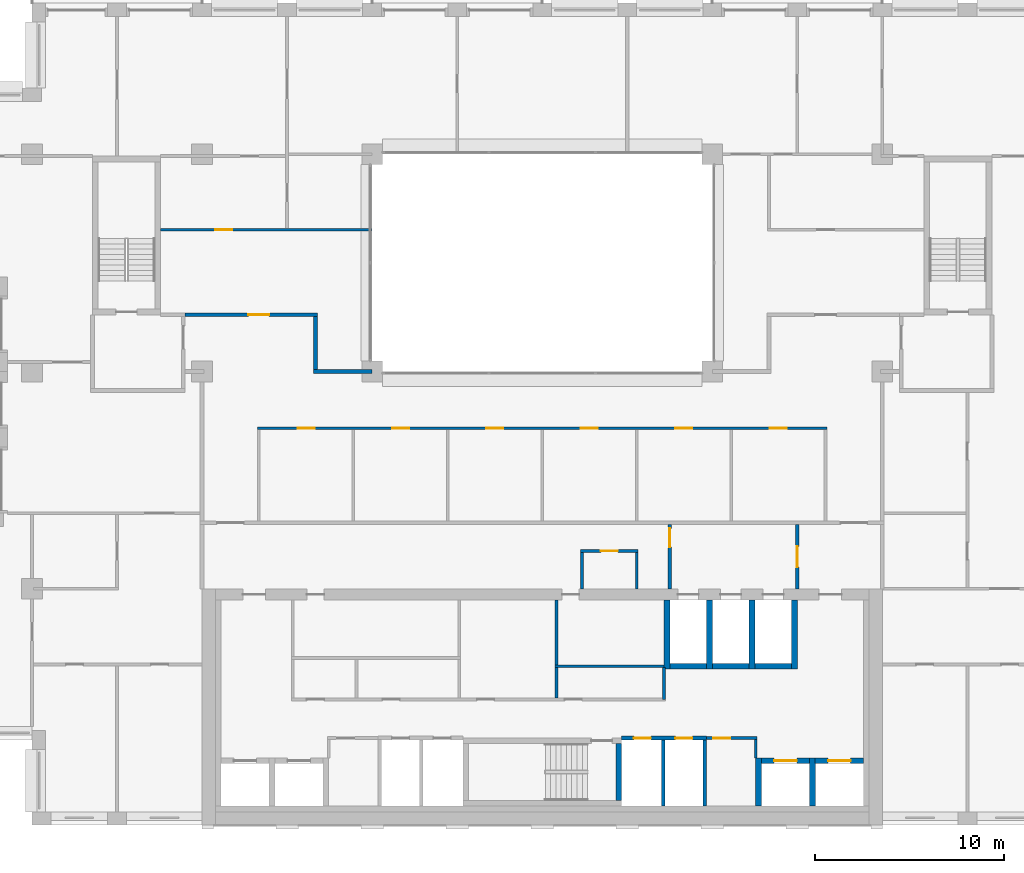
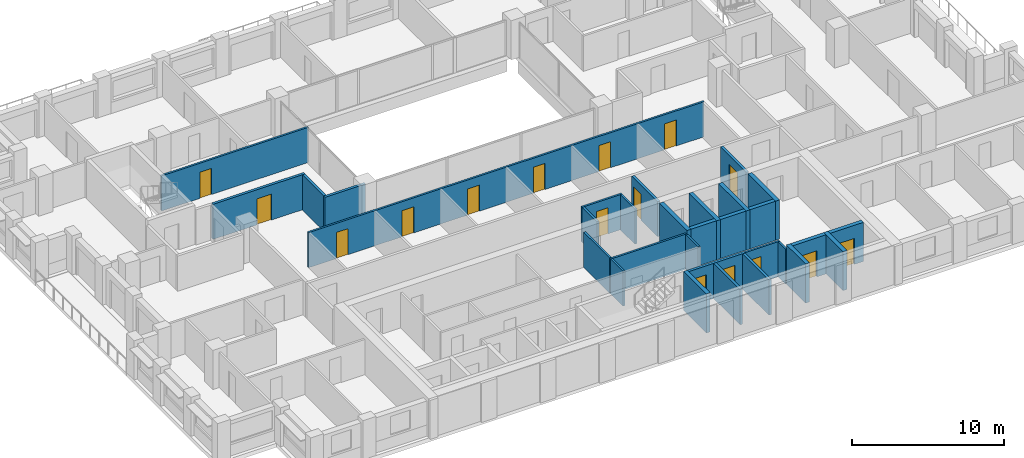
# One storey, part 10 of 15: 31 walls, 16 doors, 16 openings.
"""IFC4 building model written with IfcOpenShell, lengths in metres."""

from ifc_helpers import new_model, si_unit, direction, frame, frame_2d, origin, place, context, subcontext, project, spatial, rectangle, extrude, material, layer, layer_set, type_object, element, fill, save


model = new_model("IFC4")

# Units and contexts
model_context = context("Model", 3, precision=1e-05, world=origin(), true_north=direction((0.0, 1.0)))
body_context = subcontext(model_context, "Body", "Model", "MODEL_VIEW")
ifc_project = project(units=[si_unit("LENGTHUNIT", "METRE"), si_unit("AREAUNIT", "SQUARE_METRE"), si_unit("VOLUMEUNIT", "CUBIC_METRE"), si_unit("PLANEANGLEUNIT", "RADIAN"), si_unit("MASSUNIT", "GRAM", prefix="KILO")], contexts=[model_context])

# Site, building, storey
site_placement = place(None, origin())
site = spatial("IfcSite", under=ifc_project, at=site_placement, CompositionType="ELEMENT")
building_placement = place(site_placement, origin())
building = spatial("IfcBuilding", under=site, at=building_placement, Name="Brigalow Station Residences", CompositionType="ELEMENT")
storey_placement = place(building_placement, frame((0.0, 0.0, 150.75)))
storey = spatial("IfcBuildingStorey", under=building, at=storey_placement, Name="L43", CompositionType="ELEMENT", Elevation=150.75)

# Walls
ifc_material_1 = material(Name="Concrete C65", Category="concrete")
ifc_layer_1 = layer(ifc_material_1, 0.300048828125)
ifc_layer_set_1 = layer_set([ifc_layer_1], Name="CORE SHEAR WALL 300 C65")
wall_type_1 = type_object("IfcWallType", Name="CORE SHEAR WALL 300 C65", PredefinedType="SHEAR", material=ifc_layer_set_1)
wall_1_placement = place(storey_placement, frame((42.75, 8.39990234375, 0.0), z_axis=(0.0, 0.0, 1.0), x_axis=(1.0, 0.0, 0.0)))
element("IfcWall", 1, at=wall_1_placement, inside=storey, type_object=wall_type_1, Name="CORE WALL SH-FF1-S L43", PredefinedType="SHEAR", context=body_context, shape_type="SweptSolid", body=[
    extrude(rectangle(XDim=1.949951171875, YDim=0.300048828125, at=frame_2d((0.97509765625, 0.0))), origin(), (0.0, 0.0, 1.0), 3.14990234375),
])
wall_2_placement = place(storey_placement, frame((42.60009765625, 8.25, 0.0), z_axis=(0.0, 0.0, 1.0), x_axis=(0.0, 1.0, 0.0)))
element("IfcWall", 2, at=wall_2_placement, inside=storey, type_object=wall_type_1, Name="CORE WALL SH-FF1-W L43", PredefinedType="SHEAR", context=body_context, shape_type="SweptSolid", body=[
    extrude(rectangle(XDim=3.64990234375, YDim=0.300048828125, at=frame_2d((1.824951171875, 0.0))), origin(), (0.0, 0.0, 1.0), 3.14990234375),
])
wall_3_placement = place(storey_placement, frame((45.0, 8.39990234375, 0.0), z_axis=(0.0, 0.0, 1.0), x_axis=(1.0, 0.0, 0.0)))
element("IfcWall", 3, at=wall_3_placement, inside=storey, type_object=wall_type_1, Name="CORE WALL SH-FF2-S L43", PredefinedType="SHEAR", context=body_context, shape_type="SweptSolid", body=[
    extrude(rectangle(XDim=1.949951171875, YDim=0.300048828125, at=frame_2d((0.97509765625, 0.0))), origin(), (0.0, 0.0, 1.0), 3.14990234375),
])
wall_4_placement = place(storey_placement, frame((44.85009765625, 8.25, 0.0), z_axis=(0.0, 0.0, 1.0), x_axis=(0.0, 1.0, 0.0)))
element("IfcWall", 4, at=wall_4_placement, inside=storey, type_object=wall_type_1, Name="CORE WALL SH-FF2-W L43", PredefinedType="SHEAR", context=body_context, shape_type="SweptSolid", body=[
    extrude(rectangle(XDim=3.64990234375, YDim=0.300048828125, at=frame_2d((1.824951171875, 0.0))), origin(), (0.0, 0.0, 1.0), 3.14990234375),
])
wall_5_placement = place(storey_placement, frame((47.25, 8.39990234375, 0.0), z_axis=(0.0, 0.0, 1.0), x_axis=(1.0, 0.0, 0.0)))
element("IfcWall", 5, at=wall_5_placement, inside=storey, type_object=wall_type_1, Name="CORE WALL SH-SL1-S L43", PredefinedType="SHEAR", context=body_context, shape_type="SweptSolid", body=[
    extrude(rectangle(XDim=1.949951171875, YDim=0.300048828125, at=frame_2d((0.97509765625, 0.0))), origin(), (0.0, 0.0, 1.0), 3.14990234375),
])
for number, where, z_axis, x_axis, name in (
    (6, (47.10009765625, 8.25, 0.0), (0.0, 0.0, 1.0), (0.0, 1.0, 0.0), "CORE WALL SH-SL1-W L43"),
    (7, (49.35009765625, 8.25, 0.0), (0.0, 0.0, 1.0), (0.0, 1.0, 0.0), "CORE WALL SH-SL1-E L43"),
):
    element("IfcWall", number, at=place(storey_placement, frame(where, z_axis=z_axis, x_axis=x_axis)), inside=storey, type_object=wall_type_1, Name=name, PredefinedType="SHEAR", context=body_context, shape_type="SweptSolid", body=[
        extrude(rectangle(XDim=3.64990234375, YDim=0.300048828125, at=frame_2d((1.824951171875, 0.0))), origin(), (0.0, 0.0, 1.0), 3.14990234375),
    ])

# Wall, opening, door
wall_6_placement = place(storey_placement, frame((47.60009765625, 3.39990234375, 0.0), z_axis=(0.0, 0.0, 1.0), x_axis=(1.0, 0.0, 0.0)))
wall_6 = element("IfcWall", 8, at=wall_6_placement, inside=storey, type_object=wall_type_1, Name="CORE WALL SH-C3-N L43", PredefinedType="SHEAR", context=body_context, shape_type="SweptSolid", body=[
    extrude(rectangle(XDim=2.5498046875, YDim=0.300048828125, at=frame_2d((1.27490234375, 0.0))), origin(), (0.0, 0.0, 1.0), 3.14990234375),
])
opening_1_placement = place(wall_6_placement, frame((0.675048828125, 0.0, 0.0)))
opening_1 = element("IfcOpeningElement", 9, at=opening_1_placement, cuts=wall_6, Name="Opening LD-LB3", PredefinedType="OPENING", context=body_context, shape_type="SweptSolid", body=[
    extrude(rectangle(XDim=1.199951171875, YDim=2.10009765625, at=frame_2d((0.60009765625, 1.050048828125))), frame((0.0, 0.16015625, 0.0), z_axis=(0.0, -1.0, 0.0), x_axis=(1.0, 0.0, 0.0)), (0.0, 0.0, 1.0), 0.320068359375),
])
ifc_material_2 = material(Name="Stainless steel sliding door leaves", Category="steel")
door_type_1 = type_object("IfcDoorType", Name="LIFT LANDING DOOR 1200 x 2100", OperationType="DOUBLE_DOOR_SLIDING", PredefinedType="DOOR", material=ifc_material_2)
door_1_placement = place(opening_1_placement, origin())
door_1 = element("IfcDoor", 10, at=door_1_placement, inside=storey, type_object=door_type_1, Name="LANDING DOOR LB3", OperationType="DOUBLE_DOOR_SLIDING", OverallHeight=2.10009765625, OverallWidth=1.199951171875, PredefinedType="DOOR", context=body_context, shape_type="SweptSolid", body=[
    extrude(rectangle(XDim=1.199951171875, YDim=2.10009765625, at=frame_2d((0.60009765625, 1.050048828125))), frame((0.0, 0.02490234375, 0.0), z_axis=(0.0, -1.0, 0.0), x_axis=(1.0, 0.0, 0.0)), (0.0, 0.0, 1.0), 0.050048828125),
])
fill(opening_1, door_1)

# Wall
wall_7_placement = place(storey_placement, frame((47.449951171875, 1.0, 0.0), z_axis=(0.0, 0.0, 1.0), x_axis=(0.0, 1.0, 0.0)))
element("IfcWall", 11, at=wall_7_placement, inside=storey, type_object=wall_type_1, Name="CORE WALL SH-C3-W L43", PredefinedType="SHEAR", context=body_context, shape_type="SweptSolid", body=[
    extrude(rectangle(XDim=2.550048828125, YDim=0.300048828125, at=frame_2d((1.27490234375, 0.0))), origin(), (0.0, 0.0, 1.0), 3.14990234375),
])

# Wall, opening, door
wall_8_placement = place(storey_placement, frame((50.449951171875, 3.39990234375, 0.0), z_axis=(0.0, 0.0, 1.0), x_axis=(1.0, 0.0, 0.0)))
wall_8 = element("IfcWall", 12, at=wall_8_placement, inside=storey, type_object=wall_type_1, Name="CORE WALL SH-C4-N L43", PredefinedType="SHEAR", context=body_context, shape_type="SweptSolid", body=[
    extrude(rectangle(XDim=2.550048828125, YDim=0.300048828125, at=frame_2d((1.27490234375, 0.0))), origin(), (0.0, 0.0, 1.0), 3.14990234375),
])
opening_2_placement = place(wall_8_placement, frame((0.675048828125, 0.0, 0.0)))
opening_2 = element("IfcOpeningElement", 13, at=opening_2_placement, cuts=wall_8, Name="Opening LD-LB4", PredefinedType="OPENING", context=body_context, shape_type="SweptSolid", body=[
    extrude(rectangle(XDim=1.199951171875, YDim=2.10009765625, at=frame_2d((0.60009765625, 1.050048828125))), frame((0.0, 0.16015625, 0.0), z_axis=(0.0, -1.0, 0.0), x_axis=(1.0, 0.0, 0.0)), (0.0, 0.0, 1.0), 0.320068359375),
])
door_2_placement = place(opening_2_placement, origin())
door_2 = element("IfcDoor", 14, at=door_2_placement, inside=storey, type_object=door_type_1, Name="LANDING DOOR LB4", OperationType="DOUBLE_DOOR_SLIDING", OverallHeight=2.10009765625, OverallWidth=1.199951171875, PredefinedType="DOOR", context=body_context, shape_type="SweptSolid", body=[
    extrude(rectangle(XDim=1.199951171875, YDim=2.10009765625, at=frame_2d((0.60009765625, 1.050048828125))), frame((0.0, 0.02490234375, 0.0), z_axis=(0.0, -1.0, 0.0), x_axis=(1.0, 0.0, 0.0)), (0.0, 0.0, 1.0), 0.050048828125),
])
fill(opening_2, door_2)

# Walls
wall_9_placement = place(storey_placement, frame((50.300048828125, 1.0, 0.0), z_axis=(0.0, 0.0, 1.0), x_axis=(0.0, 1.0, 0.0)))
element("IfcWall", 15, at=wall_9_placement, inside=storey, type_object=wall_type_1, Name="CORE WALL SH-C4-W L43", PredefinedType="SHEAR", context=body_context, shape_type="SweptSolid", body=[
    extrude(rectangle(XDim=2.550048828125, YDim=0.300048828125, at=frame_2d((1.27490234375, 0.0))), origin(), (0.0, 0.0, 1.0), 3.14990234375),
])
wall_10_placement = place(storey_placement, frame((40.050048828125, 1.300048828125, 0.0), z_axis=(0.0, 0.0, 1.0), x_axis=(0.0, 1.0, 0.0)))
element("IfcWall", 16, at=wall_10_placement, inside=storey, type_object=wall_type_1, Name="CORE WALL ST-S2-E L43", PredefinedType="SHEAR", context=body_context, shape_type="SweptSolid", body=[
    extrude(rectangle(XDim=3.0, YDim=0.300048828125, at=frame_2d((1.5, 0.0))), origin(), (0.0, 0.0, 1.0), 3.14990234375),
])

# Wall, openings, doors
ifc_material_3 = material(Name="Concrete blockwork", Category="masonry")
ifc_layer_2 = layer(ifc_material_3, 0.199951171875)
ifc_layer_set_2 = layer_set([ifc_layer_2], Name="FIRE RATED CORE PARTITION 200")
wall_type_2 = type_object("IfcWallType", Name="FIRE RATED CORE PARTITION 200", PredefinedType="PARTITIONING", material=ifc_layer_set_2)
wall_11_placement = place(storey_placement, frame((40.199951171875, 4.60009765625, 0.0), z_axis=(0.0, 0.0, 1.0), x_axis=(1.0, 0.0, 0.0)))
wall_11 = element("IfcWall", 17, at=wall_11_placement, inside=storey, type_object=wall_type_2, Name="PW-5018", PredefinedType="PARTITIONING", context=body_context, shape_type="SweptSolid", body=[
    extrude(rectangle(XDim=4.5, YDim=0.199951171875, at=frame_2d((2.25, 0.0))), origin(), (0.0, 0.0, 1.0), 2.830078125),
])
opening_3_placement = place(wall_11_placement, frame((0.64990234375, 0.0, 0.0)))
opening_3 = element("IfcOpeningElement", 18, at=opening_3_placement, cuts=wall_11, Name="Opening D-5009", PredefinedType="OPENING", context=body_context, shape_type="SweptSolid", body=[
    extrude(rectangle(XDim=0.89990234375, YDim=2.10009765625, at=frame_2d((0.449951171875, 1.050048828125))), frame((0.0, 0.10986328125, 0.0), z_axis=(0.0, -1.0, 0.0), x_axis=(1.0, 0.0, 0.0)), (0.0, 0.0, 1.0), 0.219970703125),
])
opening_4_placement = place(wall_11_placement, frame((2.85009765625, 0.0, 0.0)))
opening_4 = element("IfcOpeningElement", 19, at=opening_4_placement, cuts=wall_11, Name="Opening D-5010", PredefinedType="OPENING", context=body_context, shape_type="SweptSolid", body=[
    extrude(rectangle(XDim=0.89990234375, YDim=2.10009765625, at=frame_2d((0.449951171875, 1.050048828125))), frame((0.0, 0.10986328125, 0.0), z_axis=(0.0, -1.0, 0.0), x_axis=(1.0, 0.0, 0.0)), (0.0, 0.0, 1.0), 0.219970703125),
])
ifc_material_4 = material(Name="Steel fire door leaf in steel frame", Category="steel")
door_type_2 = type_object("IfcDoorType", Name="RISER ACCESS DOOR 900 x 2100 FD120", OperationType="SINGLE_SWING_LEFT", PredefinedType="DOOR", material=ifc_material_4)
door_3_placement = place(opening_3_placement, frame((0.89990234375, 0.0, 0.0), z_axis=(0.0, 0.0, 1.0), x_axis=(-1.0, 0.0, 0.0)))
door_3 = element("IfcDoor", 20, at=door_3_placement, inside=storey, type_object=door_type_2, Name="D-5009", OperationType="SINGLE_SWING_LEFT", OverallHeight=2.10009765625, OverallWidth=0.89990234375, PredefinedType="DOOR", context=body_context, shape_type="SweptSolid", body=[
    extrude(rectangle(XDim=0.89990234375, YDim=2.10009765625, at=frame_2d((0.449951171875, 1.050048828125))), frame((0.0, 0.02490234375, 0.0), z_axis=(0.0, -1.0, 0.0), x_axis=(1.0, 0.0, 0.0)), (0.0, 0.0, 1.0), 0.050048828125),
])
fill(opening_3, door_3)
door_4_placement = place(opening_4_placement, frame((0.89990234375, 0.0, 0.0), z_axis=(0.0, 0.0, 1.0), x_axis=(-1.0, 0.0, 0.0)))
door_4 = element("IfcDoor", 21, at=door_4_placement, inside=storey, type_object=door_type_2, Name="D-5010", OperationType="SINGLE_SWING_LEFT", OverallHeight=2.10009765625, OverallWidth=0.89990234375, PredefinedType="DOOR", context=body_context, shape_type="SweptSolid", body=[
    extrude(rectangle(XDim=0.89990234375, YDim=2.10009765625, at=frame_2d((0.449951171875, 1.050048828125))), frame((0.0, 0.02490234375, 0.0), z_axis=(0.0, -1.0, 0.0), x_axis=(1.0, 0.0, 0.0)), (0.0, 0.0, 1.0), 0.050048828125),
])
fill(opening_4, door_4)

# Walls
for number, where, z_axis, x_axis, name in (
    (22, (42.39990234375, 1.0, 0.0), (0.0, 0.0, 1.0), (0.0, 1.0, 0.0), "PW-5007"),
    (23, (44.60009765625, 1.0, 0.0), (0.0, 0.0, 1.0), (0.0, 1.0, 0.0), "PW-5008"),
):
    element("IfcWall", number, at=place(storey_placement, frame(where, z_axis=z_axis, x_axis=x_axis)), inside=storey, type_object=wall_type_2, Name=name, PredefinedType="PARTITIONING", context=body_context, shape_type="SweptSolid", body=[
        extrude(rectangle(XDim=3.5, YDim=0.199951171875, at=frame_2d((1.75, 0.0))), origin(), (0.0, 0.0, 1.0), 2.830078125),
    ])

# Wall, opening, door
wall_12_placement = place(storey_placement, frame((42.75, 12.5, 0.0), z_axis=(0.0, 0.0, 1.0), x_axis=(0.0, 1.0, 0.0)))
wall_12 = element("IfcWall", 24, at=wall_12_placement, inside=storey, type_object=wall_type_2, Name="PW-5014", PredefinedType="PARTITIONING", context=body_context, shape_type="SweptSolid", body=[
    extrude(rectangle(XDim=3.39990234375, YDim=0.199951171875, at=frame_2d((1.699951171875, 0.0))), origin(), (0.0, 0.0, 1.0), 2.830078125),
])
opening_5_placement = place(wall_12_placement, frame((2.199951171875, 0.0, 0.0)))
opening_5 = element("IfcOpeningElement", 25, at=opening_5_placement, cuts=wall_12, Name="Opening D-5013", PredefinedType="OPENING", context=body_context, shape_type="SweptSolid", body=[
    extrude(rectangle(XDim=1.0, YDim=2.10009765625, at=frame_2d((0.5, 1.050048828125))), frame((0.0, 0.10986328125, 0.0), z_axis=(0.0, -1.0, 0.0), x_axis=(1.0, 0.0, 0.0)), (0.0, 0.0, 1.0), 0.219970703125),
])
ifc_material_5 = material(Name="Steel fire door leaf in steel frame", Category="steel")
door_type_3 = type_object("IfcDoorType", Name="LOBBY DOOR 1000 x 2100 FD60S", OperationType="SINGLE_SWING_LEFT", PredefinedType="DOOR", material=ifc_material_5)
door_5_placement = place(opening_5_placement, origin())
door_5 = element("IfcDoor", 26, at=door_5_placement, inside=storey, type_object=door_type_3, Name="D-5013", OperationType="SINGLE_SWING_RIGHT", OverallHeight=2.10009765625, OverallWidth=1.0, PredefinedType="DOOR", context=body_context, shape_type="SweptSolid", body=[
    extrude(rectangle(XDim=1.0, YDim=2.10009765625, at=frame_2d((0.5, 1.050048828125))), frame((0.0, 0.02490234375, 0.0), z_axis=(0.0, -1.0, 0.0), x_axis=(1.0, 0.0, 0.0)), (0.0, 0.0, 1.0), 0.050048828125),
])
fill(opening_5, door_5)

wall_13_placement = place(storey_placement, frame((49.5, 12.5, 0.0), z_axis=(0.0, 0.0, 1.0), x_axis=(0.0, 1.0, 0.0)))
wall_13 = element("IfcWall", 27, at=wall_13_placement, inside=storey, type_object=wall_type_2, Name="PW-5015", PredefinedType="PARTITIONING", context=body_context, shape_type="SweptSolid", body=[
    extrude(rectangle(XDim=3.39990234375, YDim=0.199951171875, at=frame_2d((1.699951171875, 0.0))), origin(), (0.0, 0.0, 1.0), 2.830078125),
])
opening_6_placement = place(wall_13_placement, frame((1.14990234375, 0.0, 0.0)))
opening_6 = element("IfcOpeningElement", 28, at=opening_6_placement, cuts=wall_13, Name="Opening D-5014", PredefinedType="OPENING", context=body_context, shape_type="SweptSolid", body=[
    extrude(rectangle(XDim=1.10009765625, YDim=2.10009765625, at=frame_2d((0.550048828125, 1.050048828125))), frame((0.0, 0.10986328125, 0.0), z_axis=(0.0, -1.0, 0.0), x_axis=(1.0, 0.0, 0.0)), (0.0, 0.0, 1.0), 0.219970703125),
])
ifc_material_6 = material(Name="Steel fire door leaf in steel frame", Category="steel")
door_type_4 = type_object("IfcDoorType", Name="LOBBY DOOR 1100 x 2100 FD60S", OperationType="SINGLE_SWING_LEFT", PredefinedType="DOOR", material=ifc_material_6)
door_6_placement = place(opening_6_placement, origin())
door_6 = element("IfcDoor", 29, at=door_6_placement, inside=storey, type_object=door_type_4, Name="D-5014", OperationType="SINGLE_SWING_LEFT", OverallHeight=2.10009765625, OverallWidth=1.10009765625, PredefinedType="DOOR", context=body_context, shape_type="SweptSolid", body=[
    extrude(rectangle(XDim=1.10009765625, YDim=2.10009765625, at=frame_2d((0.550048828125, 1.050048828125))), frame((0.0, 0.02490234375, 0.0), z_axis=(0.0, -1.0, 0.0), x_axis=(1.0, 0.0, 0.0)), (0.0, 0.0, 1.0), 0.050048828125),
])
fill(opening_6, door_6)

# Wall, openings, doors
ifc_material_7 = material(Name="Plasterboard on steel stud partition", Category="steel")
ifc_layer_3 = layer(ifc_material_7, 0.14990234375)
ifc_layer_set_3 = layer_set([ifc_layer_3], Name="FLAT PARTITION 150")
wall_type_3 = type_object("IfcWallType", Name="FLAT PARTITION 150", PredefinedType="PARTITIONING", material=ifc_layer_set_3)
wall_14_placement = place(storey_placement, frame((20.925048828125, 21.0, 0.0), z_axis=(0.0, 0.0, 1.0), x_axis=(1.0, 0.0, 0.0)))
wall_14 = element("IfcWall", 30, at=wall_14_placement, inside=storey, type_object=wall_type_3, Name="PW-3B05", PredefinedType="PARTITIONING", context=body_context, shape_type="SweptSolid", body=[
    extrude(rectangle(XDim=30.14990234375, YDim=0.14990234375, at=frame_2d((15.074951171875, 0.0))), origin(), (0.0, 0.0, 1.0), 2.830078125),
])
opening_7_placement = place(wall_14_placement, frame((2.125, 0.0, 0.0)))
opening_7 = element("IfcOpeningElement", 31, at=opening_7_placement, cuts=wall_14, Name="Opening D-3B36", PredefinedType="OPENING", context=body_context, shape_type="SweptSolid", body=[
    extrude(rectangle(XDim=0.89990234375, YDim=2.10009765625, at=frame_2d((0.449951171875, 1.050048828125))), frame((0.0, 0.0849609375, 0.0), z_axis=(0.0, -1.0, 0.0), x_axis=(1.0, 0.0, 0.0)), (0.0, 0.0, 1.0), 0.169921875),
])
opening_8_placement = place(wall_14_placement, frame((7.125, 0.0, 0.0)))
opening_8 = element("IfcOpeningElement", 32, at=opening_8_placement, cuts=wall_14, Name="Opening D-3B37", PredefinedType="OPENING", context=body_context, shape_type="SweptSolid", body=[
    extrude(rectangle(XDim=0.89990234375, YDim=2.10009765625, at=frame_2d((0.449951171875, 1.050048828125))), frame((0.0, 0.0849609375, 0.0), z_axis=(0.0, -1.0, 0.0), x_axis=(1.0, 0.0, 0.0)), (0.0, 0.0, 1.0), 0.169921875),
])
opening_9_placement = place(wall_14_placement, frame((12.125, 0.0, 0.0)))
opening_9 = element("IfcOpeningElement", 33, at=opening_9_placement, cuts=wall_14, Name="Opening D-3B38", PredefinedType="OPENING", context=body_context, shape_type="SweptSolid", body=[
    extrude(rectangle(XDim=0.89990234375, YDim=2.10009765625, at=frame_2d((0.449951171875, 1.050048828125))), frame((0.0, 0.0849609375, 0.0), z_axis=(0.0, -1.0, 0.0), x_axis=(1.0, 0.0, 0.0)), (0.0, 0.0, 1.0), 0.169921875),
])
opening_10_placement = place(wall_14_placement, frame((17.125, 0.0, 0.0)))
opening_10 = element("IfcOpeningElement", 34, at=opening_10_placement, cuts=wall_14, Name="Opening D-3B39", PredefinedType="OPENING", context=body_context, shape_type="SweptSolid", body=[
    extrude(rectangle(XDim=0.89990234375, YDim=2.10009765625, at=frame_2d((0.449951171875, 1.050048828125))), frame((0.0, 0.0849609375, 0.0), z_axis=(0.0, -1.0, 0.0), x_axis=(1.0, 0.0, 0.0)), (0.0, 0.0, 1.0), 0.169921875),
])
opening_11_placement = place(wall_14_placement, frame((22.125, 0.0, 0.0)))
opening_11 = element("IfcOpeningElement", 35, at=opening_11_placement, cuts=wall_14, Name="Opening D-3B40", PredefinedType="OPENING", context=body_context, shape_type="SweptSolid", body=[
    extrude(rectangle(XDim=0.89990234375, YDim=2.10009765625, at=frame_2d((0.449951171875, 1.050048828125))), frame((0.0, 0.0849609375, 0.0), z_axis=(0.0, -1.0, 0.0), x_axis=(1.0, 0.0, 0.0)), (0.0, 0.0, 1.0), 0.169921875),
])
opening_12_placement = place(wall_14_placement, frame((27.125, 0.0, 0.0)))
opening_12 = element("IfcOpeningElement", 36, at=opening_12_placement, cuts=wall_14, Name="Opening D-3B41", PredefinedType="OPENING", context=body_context, shape_type="SweptSolid", body=[
    extrude(rectangle(XDim=0.89990234375, YDim=2.10009765625, at=frame_2d((0.449951171875, 1.050048828125))), frame((0.0, 0.0849609375, 0.0), z_axis=(0.0, -1.0, 0.0), x_axis=(1.0, 0.0, 0.0)), (0.0, 0.0, 1.0), 0.169921875),
])
ifc_material_8 = material(Name="Solid-core timber door leaf", Category="wood")
door_type_5 = type_object("IfcDoorType", Name="INTERNAL DOOR 900 x 2100", OperationType="SINGLE_SWING_LEFT", PredefinedType="DOOR", material=ifc_material_8)
door_7_placement = place(opening_7_placement, frame((0.89990234375, 0.0, 0.0), z_axis=(0.0, 0.0, 1.0), x_axis=(-1.0, 0.0, 0.0)))
door_7 = element("IfcDoor", 37, at=door_7_placement, inside=storey, type_object=door_type_5, Name="D-3B36", OperationType="SINGLE_SWING_RIGHT", OverallHeight=2.10009765625, OverallWidth=0.89990234375, PredefinedType="DOOR", context=body_context, shape_type="SweptSolid", body=[
    extrude(rectangle(XDim=0.89990234375, YDim=2.10009765625, at=frame_2d((0.449951171875, 1.050048828125))), frame((0.0, 0.02490234375, 0.0), z_axis=(0.0, -1.0, 0.0), x_axis=(1.0, 0.0, 0.0)), (0.0, 0.0, 1.0), 0.050048828125),
])
fill(opening_7, door_7)
door_8_placement = place(opening_8_placement, frame((0.89990234375, 0.0, 0.0), z_axis=(0.0, 0.0, 1.0), x_axis=(-1.0, 0.0, 0.0)))
door_8 = element("IfcDoor", 38, at=door_8_placement, inside=storey, type_object=door_type_5, Name="D-3B37", OperationType="SINGLE_SWING_RIGHT", OverallHeight=2.10009765625, OverallWidth=0.89990234375, PredefinedType="DOOR", context=body_context, shape_type="SweptSolid", body=[
    extrude(rectangle(XDim=0.89990234375, YDim=2.10009765625, at=frame_2d((0.449951171875, 1.050048828125))), frame((0.0, 0.02490234375, 0.0), z_axis=(0.0, -1.0, 0.0), x_axis=(1.0, 0.0, 0.0)), (0.0, 0.0, 1.0), 0.050048828125),
])
fill(opening_8, door_8)
door_9_placement = place(opening_9_placement, frame((0.89990234375, 0.0, 0.0), z_axis=(0.0, 0.0, 1.0), x_axis=(-1.0, 0.0, 0.0)))
door_9 = element("IfcDoor", 39, at=door_9_placement, inside=storey, type_object=door_type_5, Name="D-3B38", OperationType="SINGLE_SWING_LEFT", OverallHeight=2.10009765625, OverallWidth=0.89990234375, PredefinedType="DOOR", context=body_context, shape_type="SweptSolid", body=[
    extrude(rectangle(XDim=0.89990234375, YDim=2.10009765625, at=frame_2d((0.449951171875, 1.050048828125))), frame((0.0, 0.02490234375, 0.0), z_axis=(0.0, -1.0, 0.0), x_axis=(1.0, 0.0, 0.0)), (0.0, 0.0, 1.0), 0.050048828125),
])
fill(opening_9, door_9)
door_10_placement = place(opening_10_placement, frame((0.89990234375, 0.0, 0.0), z_axis=(0.0, 0.0, 1.0), x_axis=(-1.0, 0.0, 0.0)))
door_10 = element("IfcDoor", 40, at=door_10_placement, inside=storey, type_object=door_type_5, Name="D-3B39", OperationType="SINGLE_SWING_LEFT", OverallHeight=2.10009765625, OverallWidth=0.89990234375, PredefinedType="DOOR", context=body_context, shape_type="SweptSolid", body=[
    extrude(rectangle(XDim=0.89990234375, YDim=2.10009765625, at=frame_2d((0.449951171875, 1.050048828125))), frame((0.0, 0.02490234375, 0.0), z_axis=(0.0, -1.0, 0.0), x_axis=(1.0, 0.0, 0.0)), (0.0, 0.0, 1.0), 0.050048828125),
])
fill(opening_10, door_10)
door_11_placement = place(opening_11_placement, frame((0.89990234375, 0.0, 0.0), z_axis=(0.0, 0.0, 1.0), x_axis=(-1.0, 0.0, 0.0)))
door_11 = element("IfcDoor", 41, at=door_11_placement, inside=storey, type_object=door_type_5, Name="D-3B40", OperationType="SINGLE_SWING_LEFT", OverallHeight=2.10009765625, OverallWidth=0.89990234375, PredefinedType="DOOR", context=body_context, shape_type="SweptSolid", body=[
    extrude(rectangle(XDim=0.89990234375, YDim=2.10009765625, at=frame_2d((0.449951171875, 1.050048828125))), frame((0.0, 0.02490234375, 0.0), z_axis=(0.0, -1.0, 0.0), x_axis=(1.0, 0.0, 0.0)), (0.0, 0.0, 1.0), 0.050048828125),
])
fill(opening_11, door_11)
door_12_placement = place(opening_12_placement, frame((0.89990234375, 0.0, 0.0), z_axis=(0.0, 0.0, 1.0), x_axis=(-1.0, 0.0, 0.0)))
door_12 = element("IfcDoor", 42, at=door_12_placement, inside=storey, type_object=door_type_5, Name="D-3B41", OperationType="SINGLE_SWING_RIGHT", OverallHeight=2.10009765625, OverallWidth=0.89990234375, PredefinedType="DOOR", context=body_context, shape_type="SweptSolid", body=[
    extrude(rectangle(XDim=0.89990234375, YDim=2.10009765625, at=frame_2d((0.449951171875, 1.050048828125))), frame((0.0, 0.02490234375, 0.0), z_axis=(0.0, -1.0, 0.0), x_axis=(1.0, 0.0, 0.0)), (0.0, 0.0, 1.0), 0.050048828125),
])
fill(opening_12, door_12)

# Wall, opening, door
wall_15_placement = place(storey_placement, frame((15.800048828125, 31.5, 0.0), z_axis=(0.0, 0.0, 1.0), x_axis=(1.0, 0.0, 0.0)))
wall_15 = element("IfcWall", 43, at=wall_15_placement, inside=storey, type_object=wall_type_3, Name="PW-3B08", PredefinedType="PARTITIONING", context=body_context, shape_type="SweptSolid", body=[
    extrude(rectangle(XDim=11.199951171875, YDim=0.14990234375, at=frame_2d((5.60009765625, 0.0))), origin(), (0.0, 0.0, 1.0), 2.830078125),
])
opening_13_placement = place(wall_15_placement, frame((2.89990234375, 0.0, 0.0)))
opening_13 = element("IfcOpeningElement", 44, at=opening_13_placement, cuts=wall_15, Name="Opening D-3B04", PredefinedType="OPENING", context=body_context, shape_type="SweptSolid", body=[
    extrude(rectangle(XDim=0.89990234375, YDim=2.10009765625, at=frame_2d((0.449951171875, 1.050048828125))), frame((0.0, 0.0849609375, 0.0), z_axis=(0.0, -1.0, 0.0), x_axis=(1.0, 0.0, 0.0)), (0.0, 0.0, 1.0), 0.169921875),
])
door_13_placement = place(opening_13_placement, origin())
door_13 = element("IfcDoor", 45, at=door_13_placement, inside=storey, type_object=door_type_5, Name="D-3B04", OperationType="SINGLE_SWING_RIGHT", OverallHeight=2.10009765625, OverallWidth=0.89990234375, PredefinedType="DOOR", context=body_context, shape_type="SweptSolid", body=[
    extrude(rectangle(XDim=0.89990234375, YDim=2.10009765625, at=frame_2d((0.449951171875, 1.050048828125))), frame((0.0, 0.02490234375, 0.0), z_axis=(0.0, -1.0, 0.0), x_axis=(1.0, 0.0, 0.0)), (0.0, 0.0, 1.0), 0.050048828125),
])
fill(opening_13, door_13)

# Wall
ifc_material_9 = material(Name="Plasterboard on steel stud partition", Category="steel")
ifc_layer_4 = layer(ifc_material_9, 0.199951171875)
ifc_layer_set_4 = layer_set([ifc_layer_4], Name="PARTY AND CORRIDOR WALL 200")
wall_type_4 = type_object("IfcWallType", Name="PARTY AND CORRIDOR WALL 200", PredefinedType="PARTITIONING", material=ifc_layer_set_4)
wall_16_placement = place(storey_placement, frame((23.89990234375, 24.0, 0.0), z_axis=(0.0, 0.0, 1.0), x_axis=(1.0, 0.0, 0.0)))
element("IfcWall", 46, at=wall_16_placement, inside=storey, type_object=wall_type_4, Name="PW-3B02", PredefinedType="PARTITIONING", context=body_context, shape_type="SweptSolid", body=[
    extrude(rectangle(XDim=3.10009765625, YDim=0.199951171875, at=frame_2d((1.550048828125, 0.0))), origin(), (0.0, 0.0, 1.0), 2.830078125),
])

# Wall, opening, door
wall_17_placement = place(storey_placement, frame((17.10009765625, 27.0, 0.0), z_axis=(0.0, 0.0, 1.0), x_axis=(1.0, 0.0, 0.0)))
wall_17 = element("IfcWall", 47, at=wall_17_placement, inside=storey, type_object=wall_type_4, Name="PW-3B06", PredefinedType="PARTITIONING", context=body_context, shape_type="SweptSolid", body=[
    extrude(rectangle(XDim=7.0, YDim=0.199951171875, at=frame_2d((3.5, 0.0))), origin(), (0.0, 0.0, 1.0), 2.830078125),
])
opening_14_placement = place(wall_17_placement, frame((3.35009765625, 0.0, 0.0)))
opening_14 = element("IfcOpeningElement", 48, at=opening_14_placement, cuts=wall_17, Name="Opening D-3B03", PredefinedType="OPENING", context=body_context, shape_type="SweptSolid", body=[
    extrude(rectangle(XDim=1.10009765625, YDim=2.10009765625, at=frame_2d((0.550048828125, 1.050048828125))), frame((0.0, 0.10986328125, 0.0), z_axis=(0.0, -1.0, 0.0), x_axis=(1.0, 0.0, 0.0)), (0.0, 0.0, 1.0), 0.219970703125),
])
ifc_material_10 = material(Name="Solid-core timber door leaf", Category="wood")
door_type_6 = type_object("IfcDoorType", Name="FLAT ENTRANCE DOOR 1100 x 2100 FRL -/60/30", OperationType="SINGLE_SWING_LEFT", PredefinedType="DOOR", material=ifc_material_10)
door_14_placement = place(opening_14_placement, origin())
door_14 = element("IfcDoor", 49, at=door_14_placement, inside=storey, type_object=door_type_6, Name="D-3B03", OperationType="SINGLE_SWING_LEFT", OverallHeight=2.10009765625, OverallWidth=1.10009765625, PredefinedType="DOOR", context=body_context, shape_type="SweptSolid", body=[
    extrude(rectangle(XDim=1.10009765625, YDim=2.10009765625, at=frame_2d((0.550048828125, 1.050048828125))), frame((0.0, 0.02490234375, 0.0), z_axis=(0.0, -1.0, 0.0), x_axis=(1.0, 0.0, 0.0)), (0.0, 0.0, 1.0), 0.050048828125),
])
fill(opening_14, door_14)

# Wall
wall_18_placement = place(storey_placement, frame((24.0, 24.10009765625, 0.0), z_axis=(0.0, 0.0, 1.0), x_axis=(0.0, 1.0, 0.0)))
element("IfcWall", 50, at=wall_18_placement, inside=storey, type_object=wall_type_4, Name="PW-3B32", PredefinedType="PARTITIONING", context=body_context, shape_type="SweptSolid", body=[
    extrude(rectangle(XDim=2.7998046875, YDim=0.199951171875, at=frame_2d((1.39990234375, 0.0))), origin(), (0.0, 0.0, 1.0), 2.830078125),
])

# Wall, opening, door
ifc_material_11 = material(Name="Plasterboard on steel studs", Category="steel")
ifc_layer_5 = layer(ifc_material_11, 0.14990234375)
ifc_layer_set_5 = layer_set([ifc_layer_5], Name="SERVICE ROOM PARTITION 150")
wall_type_5 = type_object("IfcWallType", Name="SERVICE ROOM PARTITION 150", PredefinedType="PARTITIONING", material=ifc_layer_set_5)
wall_19_placement = place(storey_placement, frame((44.699951171875, 4.60009765625, 0.0), z_axis=(0.0, 0.0, 1.0), x_axis=(1.0, 0.0, 0.0)))
wall_19 = element("IfcWall", 51, at=wall_19_placement, inside=storey, type_object=wall_type_5, Name="PW-5156", PredefinedType="PARTITIONING", context=body_context, shape_type="SweptSolid", body=[
    extrude(rectangle(XDim=2.675048828125, YDim=0.14990234375, at=frame_2d((1.33740234375, 0.0))), origin(), (0.0, 0.0, 1.0), 2.830078125),
])
opening_15_placement = place(wall_19_placement, frame((0.35009765625, 0.0, 0.0)))
opening_15 = element("IfcOpeningElement", 52, at=opening_15_placement, cuts=wall_19, Name="Opening D-5026", PredefinedType="OPENING", context=body_context, shape_type="SweptSolid", body=[
    extrude(rectangle(XDim=0.89990234375, YDim=2.10009765625, at=frame_2d((0.449951171875, 1.050048828125))), frame((0.0, 0.0849609375, 0.0), z_axis=(0.0, -1.0, 0.0), x_axis=(1.0, 0.0, 0.0)), (0.0, 0.0, 1.0), 0.169921875),
])
ifc_material_12 = material(Name="Steel door leaf in steel frame", Category="steel")
door_type_7 = type_object("IfcDoorType", Name="SERVICE ROOM DOOR 900 x 2100 FD60", OperationType="SINGLE_SWING_LEFT", PredefinedType="DOOR", material=ifc_material_12)
door_15_placement = place(opening_15_placement, frame((0.89990234375, 0.0, 0.0), z_axis=(0.0, 0.0, 1.0), x_axis=(-1.0, 0.0, 0.0)))
door_15 = element("IfcDoor", 53, at=door_15_placement, inside=storey, type_object=door_type_7, Name="D-5026", OperationType="SINGLE_SWING_RIGHT", OverallHeight=2.10009765625, OverallWidth=0.89990234375, PredefinedType="DOOR", context=body_context, shape_type="SweptSolid", body=[
    extrude(rectangle(XDim=0.89990234375, YDim=2.10009765625, at=frame_2d((0.449951171875, 1.050048828125))), frame((0.0, 0.02490234375, 0.0), z_axis=(0.0, -1.0, 0.0), x_axis=(1.0, 0.0, 0.0)), (0.0, 0.0, 1.0), 0.050048828125),
])
fill(opening_15, door_15)

# Wall
wall_20_placement = place(storey_placement, frame((36.675048828125, 8.39990234375, 0.0), z_axis=(0.0, 0.0, 1.0), x_axis=(1.0, 0.0, 0.0)))
element("IfcWall", 54, at=wall_20_placement, inside=storey, type_object=wall_type_5, Name="PW-5204", PredefinedType="PARTITIONING", context=body_context, shape_type="SweptSolid", body=[
    extrude(rectangle(XDim=5.77490234375, YDim=0.14990234375, at=frame_2d((2.887451171875, 0.0))), origin(), (0.0, 0.0, 1.0), 2.830078125),
])

# Wall, opening, door
wall_21_placement = place(storey_placement, frame((38.02490234375, 14.5, 0.0), z_axis=(0.0, 0.0, 1.0), x_axis=(1.0, 0.0, 0.0)))
wall_21 = element("IfcWall", 55, at=wall_21_placement, inside=storey, type_object=wall_type_5, Name="PW-5138", PredefinedType="PARTITIONING", context=body_context, shape_type="SweptSolid", body=[
    extrude(rectangle(XDim=3.050048828125, YDim=0.14990234375, at=frame_2d((1.52490234375, 0.0))), origin(), (0.0, 0.0, 1.0), 2.830078125),
])
opening_16_placement = place(wall_21_placement, frame((1.074951171875, 0.0, 0.0)))
opening_16 = element("IfcOpeningElement", 56, at=opening_16_placement, cuts=wall_21, Name="Opening D-5079", PredefinedType="OPENING", context=body_context, shape_type="SweptSolid", body=[
    extrude(rectangle(XDim=0.89990234375, YDim=2.10009765625, at=frame_2d((0.449951171875, 1.050048828125))), frame((0.0, 0.0849609375, 0.0), z_axis=(0.0, -1.0, 0.0), x_axis=(1.0, 0.0, 0.0)), (0.0, 0.0, 1.0), 0.169921875),
])
door_16_placement = place(opening_16_placement, frame((0.89990234375, 0.0, 0.0), z_axis=(0.0, 0.0, 1.0), x_axis=(-1.0, 0.0, 0.0)))
door_16 = element("IfcDoor", 57, at=door_16_placement, inside=storey, type_object=door_type_7, Name="D-5079", OperationType="SINGLE_SWING_RIGHT", OverallHeight=2.10009765625, OverallWidth=0.89990234375, PredefinedType="DOOR", context=body_context, shape_type="SweptSolid", body=[
    extrude(rectangle(XDim=0.89990234375, YDim=2.10009765625, at=frame_2d((0.449951171875, 1.050048828125))), frame((0.0, 0.02490234375, 0.0), z_axis=(0.0, -1.0, 0.0), x_axis=(1.0, 0.0, 0.0)), (0.0, 0.0, 1.0), 0.050048828125),
])
fill(opening_16, door_16)

# Walls
wall_22_placement = place(storey_placement, frame((47.300048828125, 3.550048828125, 0.0), z_axis=(0.0, 0.0, 1.0), x_axis=(0.0, 1.0, 0.0)))
element("IfcWall", 58, at=wall_22_placement, inside=storey, type_object=wall_type_5, Name="PW-5158", PredefinedType="PARTITIONING", context=body_context, shape_type="SweptSolid", body=[
    extrude(rectangle(XDim=0.974853515625, YDim=0.14990234375, at=frame_2d((0.4873046875, 0.0))), origin(), (0.0, 0.0, 1.0), 2.830078125),
])
wall_23_placement = place(storey_placement, frame((42.449951171875, 6.64990234375, 0.0), z_axis=(0.0, 0.0, 1.0), x_axis=(0.0, 1.0, 0.0)))
element("IfcWall", 59, at=wall_23_placement, inside=storey, type_object=wall_type_5, Name="PW-5206", PredefinedType="PARTITIONING", context=body_context, shape_type="SweptSolid", body=[
    extrude(rectangle(XDim=1.675048828125, YDim=0.14990234375, at=frame_2d((0.83740234375, 0.0))), origin(), (0.0, 0.0, 1.0), 2.830078125),
])
wall_24_placement = place(storey_placement, frame((36.75, 6.72509765625, 0.0), z_axis=(0.0, 0.0, 1.0), x_axis=(0.0, 1.0, 0.0)))
element("IfcWall", 60, at=wall_24_placement, inside=storey, type_object=wall_type_5, Name="PW-5210", PredefinedType="PARTITIONING", context=body_context, shape_type="SweptSolid", body=[
    extrude(rectangle(XDim=1.599853515625, YDim=0.14990234375, at=frame_2d((0.7998046875, 0.0))), origin(), (0.0, 0.0, 1.0), 2.830078125),
])
wall_25_placement = place(storey_placement, frame((36.75, 8.47509765625, 0.0), z_axis=(0.0, 0.0, 1.0), x_axis=(0.0, 1.0, 0.0)))
element("IfcWall", 61, at=wall_25_placement, inside=storey, type_object=wall_type_5, Name="PW-5211", PredefinedType="PARTITIONING", context=body_context, shape_type="SweptSolid", body=[
    extrude(rectangle(XDim=3.4248046875, YDim=0.14990234375, at=frame_2d((1.71240234375, 0.0))), origin(), (0.0, 0.0, 1.0), 2.830078125),
])
for number, where, z_axis, x_axis, name in (
    (62, (38.10009765625, 12.5, 0.0), (0.0, 0.0, 1.0), (0.0, 1.0, 0.0), "PW-5139"),
    (63, (41.0, 12.5, 0.0), (0.0, 0.0, 1.0), (0.0, 1.0, 0.0), "PW-5140"),
):
    element("IfcWall", number, at=place(storey_placement, frame(where, z_axis=z_axis, x_axis=x_axis)), inside=storey, type_object=wall_type_5, Name=name, PredefinedType="PARTITIONING", context=body_context, shape_type="SweptSolid", body=[
        extrude(rectangle(XDim=1.925048828125, YDim=0.14990234375, at=frame_2d((0.96240234375, 0.0))), origin(), (0.0, 0.0, 1.0), 2.830078125),
    ])

save(model, "model.ifc")
